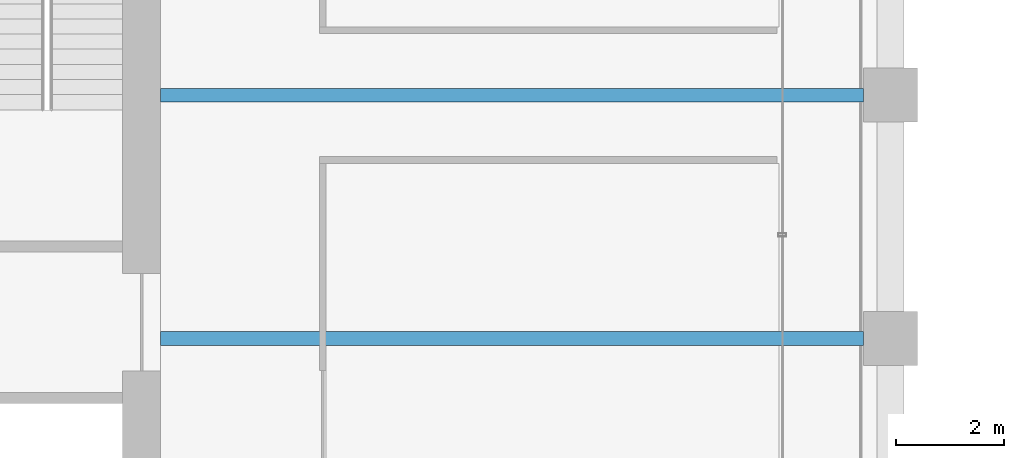
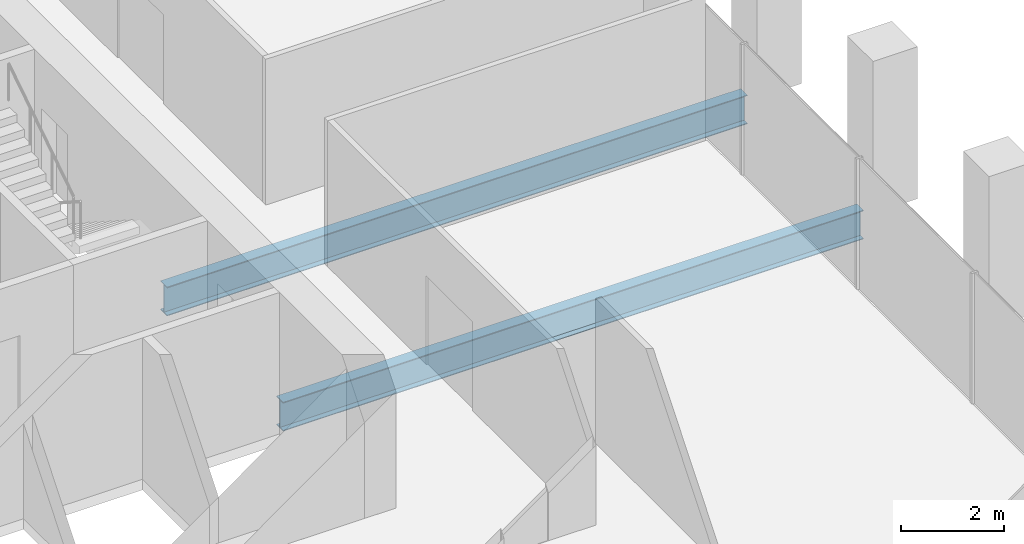
# One storey, part 16 of 46: 2 beams.
"""IFC4 building model written with IfcOpenShell, lengths in metres."""

import ifcopenshell
import ifcopenshell.guid

model = None  # the IFC model being written
_history = None  # IfcOwnerHistory: only IFC2X3 demands one
_inside = {}  # id of a spatial element -> (the spatial element, [elements in it])
_under = {}  # id of a project, library or spatial element -> (it, [spatial elements below it])
_declared = {}  # id of a project -> (the project, [libraries it declares])
_typed = {}  # id of a type object -> (the type object, [elements of that type])
_made_of = {}  # id of a material, layer set ... -> (it, [elements and type objects made of it])


def new_model(schema):
    """Start an empty IFC model of exactly this schema.

    Asked for "IFC4X3", IfcOpenShell would pick the latest addendum, in which some entities
    have other attributes; the version numbers below select the first issue.
    IFC2X3 requires an IfcOwnerHistory on every rooted entity: one is made here for all.
    """
    global model, _history
    if schema == "IFC4X3":
        model = ifcopenshell.file(schema_version=(4, 3, 0, 0))
    else:
        model = ifcopenshell.file(schema=schema)
    _inside.clear()
    _under.clear()
    _declared.clear()
    _typed.clear()
    _made_of.clear()
    _history = None
    if model.schema == "IFC2X3":
        org = make("IfcOrganization", Name="unknown")
        user = make(
            "IfcPersonAndOrganization",
            ThePerson=make("IfcPerson", FamilyName="unknown"),
            TheOrganization=org,
        )
        app = make(
            "IfcApplication",
            ApplicationDeveloper=org,
            Version="unknown",
            ApplicationFullName="unknown",
            ApplicationIdentifier="unknown",
        )
        _history = make(
            "IfcOwnerHistory",
            OwningUser=user,
            OwningApplication=app,
            ChangeAction="ADDED",
            CreationDate=0,
        )
    return model


def make(cls, **values):
    """One entity of the class cls with the attributes given. An attribute that is None is left unset."""
    return model.create_entity(
        cls, **{name: value for name, value in values.items() if value is not None}
    )


def rooted(cls, **values):
    """An entity with a GlobalId (a new one), such as an element, a storey or a relation."""
    return make(cls, GlobalId=ifcopenshell.guid.new(), OwnerHistory=_history, **values)


def si_unit(unit_type, name, prefix=None):
    """IfcSIUnit, for example si_unit("LENGTHUNIT", "METRE", prefix="MILLI")."""
    return make("IfcSIUnit", UnitType=unit_type, Prefix=prefix, Name=name)


def assignment(units):
    """IfcUnitAssignment: the units of a project."""
    return None if units is None else make("IfcUnitAssignment", Units=units)


def point(xyz):
    """IfcCartesianPoint."""
    return None if xyz is None else make("IfcCartesianPoint", Coordinates=xyz)


def direction(xyz):
    """IfcDirection."""
    return None if xyz is None else make("IfcDirection", DirectionRatios=xyz)


def frame(location, z_axis=None, x_axis=None):
    """IfcAxis2Placement3D, a coordinate frame: its origin and axes. An axis left out is left unset."""
    return make(
        "IfcAxis2Placement3D",
        Location=point(location),
        Axis=direction(z_axis),
        RefDirection=direction(x_axis),
    )


def frame_2d(location, x_axis=None):
    """IfcAxis2Placement2D, a coordinate frame in the plane: its origin and x axis."""
    return make(
        "IfcAxis2Placement2D", Location=point(location), RefDirection=direction(x_axis)
    )


def origin():
    """The frame at (0, 0, 0) with its axes left unset."""
    return frame((0.0, 0.0, 0.0))


def origin_2d():
    """The frame at (0, 0) in the plane with its x axis left unset."""
    return frame_2d((0.0, 0.0))


def place(relative_to, where):
    """IfcLocalPlacement: puts the frame where relative to a parent placement (None: the world)."""
    return make(
        "IfcLocalPlacement", PlacementRelTo=relative_to, RelativePlacement=where
    )


def context(
    kind, dimensions, precision=None, world=None, true_north=None, identifier=None
):
    """IfcGeometricRepresentationContext, for example the 3D "Model" context."""
    return make(
        "IfcGeometricRepresentationContext",
        ContextIdentifier=identifier,
        ContextType=kind,
        CoordinateSpaceDimension=dimensions,
        Precision=precision,
        WorldCoordinateSystem=world,
        TrueNorth=true_north,
    )


def subcontext(parent, identifier, kind, view, scale=None):
    """IfcGeometricRepresentationSubContext, for example "Body" below "Model"."""
    return make(
        "IfcGeometricRepresentationSubContext",
        ContextIdentifier=identifier,
        ContextType=kind,
        ParentContext=parent,
        TargetScale=scale,
        TargetView=view,
    )


def project(units=None, contexts=None):
    """IfcProject with its units and contexts."""
    return rooted(
        "IfcProject",
        Name="project",
        RepresentationContexts=contexts,
        UnitsInContext=assignment(units),
    )


def spatial(cls, under=None, at=None, **own):
    """A site, building, storey or space (cls), placed at a placement, below another one or the project."""
    s = rooted(cls, ObjectPlacement=at, **own)
    if under is not None:
        _under.setdefault(under.id(), (under, []))[1].append(s)
    return s


def profile(cls, at=None, kind="AREA", **sizes):
    """A parametric profile (cls). Its sizes go by their IFC names, for example OverallWidth=200.0."""
    return make(cls, ProfileType=kind, Position=at, **sizes)


def i_section(**sizes):
    """IfcIShapeProfileDef."""
    return profile("IfcIShapeProfileDef", **sizes)


def extrude(swept, where, along, depth):
    """IfcExtrudedAreaSolid: the profile swept, set in the frame where, extruded along a direction by depth."""
    return make(
        "IfcExtrudedAreaSolid",
        SweptArea=swept,
        Position=where,
        ExtrudedDirection=direction(along),
        Depth=depth,
    )


def shape(context_of_items, identifier, shape_type, items):
    """IfcShapeRepresentation: the items that make up one representation, for example the "Body"."""
    return make(
        "IfcShapeRepresentation",
        ContextOfItems=context_of_items,
        RepresentationIdentifier=identifier,
        RepresentationType=shape_type,
        Items=items,
    )


def material(Name=None, Category=None):
    """IfcMaterial."""
    return make("IfcMaterial", Name=Name, Category=Category)


def material_profile(
    of_material, cross_section, Name=None, Category=None, Priority=None
):
    """IfcMaterialProfile: a cross section and its material."""
    return make(
        "IfcMaterialProfile",
        Name=Name,
        Material=of_material,
        Profile=cross_section,
        Priority=Priority,
        Category=Category,
    )


def profile_set(profiles, Name=None, composite=None):
    """IfcMaterialProfileSet."""
    return make(
        "IfcMaterialProfileSet",
        Name=Name,
        MaterialProfiles=profiles,
        CompositeProfile=composite,
    )


def made_of(thing, what):
    """Note that an element or type object is made of a material, layer set ...; save() writes the relation."""
    if what is not None:
        _made_of.setdefault(what.id(), (what, []))[1].append(thing)
    return thing


def type_object(cls, material=None, **own):
    """A type object (cls), such as IfcWallType, which elements share."""
    return made_of(rooted(cls, **own), material)


def element(
    cls,
    number,
    at=None,
    inside=None,
    cuts=None,
    type_object=None,
    material=None,
    context=None,
    identifier="Body",
    shape_type=None,
    held_by="IfcProductDefinitionShape",
    body=None,
    shapes=None,
    **own,
):
    """One element of the class cls, such as IfcWall. Its Tag is "e" and its number.

    at: its placement. inside: the storey or other place that contains it. cuts: it is an
    opening in that element (IfcRelVoidsElement). A single representation is given by context,
    identifier, shape_type and body (its items); several are given by shapes. held_by: the class
    of the entity that holds the representations. save() writes the other relations.
    """
    e = rooted(cls, Tag="e%d" % number, ObjectPlacement=at, **own)
    if body is not None:
        shapes = [shape(context, identifier, shape_type, body)]
    if shapes is not None:
        e.Representation = make(held_by, Representations=shapes)
    if inside is not None:
        _inside.setdefault(inside.id(), (inside, []))[1].append(e)
    if cuts is not None:
        rooted(
            "IfcRelVoidsElement", RelatingBuildingElement=cuts, RelatedOpeningElement=e
        )
    if type_object is not None:
        _typed.setdefault(type_object.id(), (type_object, []))[1].append(e)
    return made_of(e, material)


def aggregate(whole, parts):
    """IfcRelAggregates: a whole, such as a stair, and the parts it consists of."""
    return rooted("IfcRelAggregates", RelatingObject=whole, RelatedObjects=parts)


def save(model, path):
    """Write the relations noted so far, then the file.

    IfcRelAggregates (storeys below a building ...), IfcRelContainedInSpatialStructure (elements
    in a storey), IfcRelDefinesByType, IfcRelAssociatesMaterial and IfcRelDeclares: one each for
    every whole, place, type object, material and project.
    """
    for whole, parts in _under.values():
        aggregate(whole, parts)
    for where, things in _inside.values():
        rooted(
            "IfcRelContainedInSpatialStructure",
            RelatedElements=things,
            RelatingStructure=where,
        )
    for kind, things in _typed.values():
        rooted("IfcRelDefinesByType", RelatedObjects=things, RelatingType=kind)
    for what, things in _made_of.values():
        rooted("IfcRelAssociatesMaterial", RelatedObjects=things, RelatingMaterial=what)
    for by, libraries in _declared.values():
        rooted("IfcRelDeclares", RelatingContext=by, RelatedDefinitions=libraries)
    model.write(path)


model = new_model("IFC4")

# Units and contexts
model_context = context("Model", 3, precision=1e-05, world=origin(), true_north=direction((0.0, 1.0)))
body_context = subcontext(model_context, "Body", "Model", "MODEL_VIEW")
ifc_project = project(units=[si_unit("LENGTHUNIT", "METRE"), si_unit("AREAUNIT", "SQUARE_METRE"), si_unit("VOLUMEUNIT", "CUBIC_METRE"), si_unit("PLANEANGLEUNIT", "RADIAN"), si_unit("MASSUNIT", "GRAM", prefix="KILO")], contexts=[model_context])

# Site, building, storey
site_placement = place(None, origin())
site = spatial("IfcSite", under=ifc_project, at=site_placement, CompositionType="ELEMENT")
building_placement = place(site_placement, origin())
building = spatial("IfcBuilding", under=site, at=building_placement, Name="Altepetl Exchange Towers", CompositionType="ELEMENT")
storey_placement = place(building_placement, frame((0.0, 0.0, 128.0)))
storey = spatial("IfcBuildingStorey", under=building, at=storey_placement, Name="L31", CompositionType="ELEMENT", Elevation=128.0)

# Beams
ifc_material = material(Name="Steel S355", Category="steel")
ifc_material_profile = material_profile(ifc_material, i_section(OverallWidth=0.25390625, OverallDepth=0.68408203125, WebThickness=0.012451171875, FlangeThickness=0.018798828125, at=origin_2d()), Name="W27X94")
ifc_profile_set = profile_set([ifc_material_profile], Name="Steel S355")
beam_type = type_object("IfcBeamType", Name="Floor beam W27X94", PredefinedType="BEAM", material=ifc_profile_set)
for number, where, z_axis, x_axis, name in (
    (1, (58.5, 45.0, -0.491943359375), (1.0, 0.0, 0.0), (0.0, 1.0, 0.0), "bm:A:L31:009"),
    (2, (58.5, 49.5, -0.491943359375), (1.0, 0.0, 0.0), (0.0, 1.0, 0.0), "bm:A:L31:010"),
):
    element("IfcBeam", number, at=place(storey_placement, frame(where, z_axis=z_axis, x_axis=x_axis)), inside=storey, type_object=beam_type, Name=name, PredefinedType="BEAM", context=body_context, shape_type="SweptSolid", body=[
        extrude(i_section(OverallWidth=0.25390625, OverallDepth=0.68408203125, WebThickness=0.012451171875, FlangeThickness=0.018798828125, at=origin_2d()), origin(), (0.0, 0.0, 1.0), 13.0),
    ])

save(model, "model.ifc")
